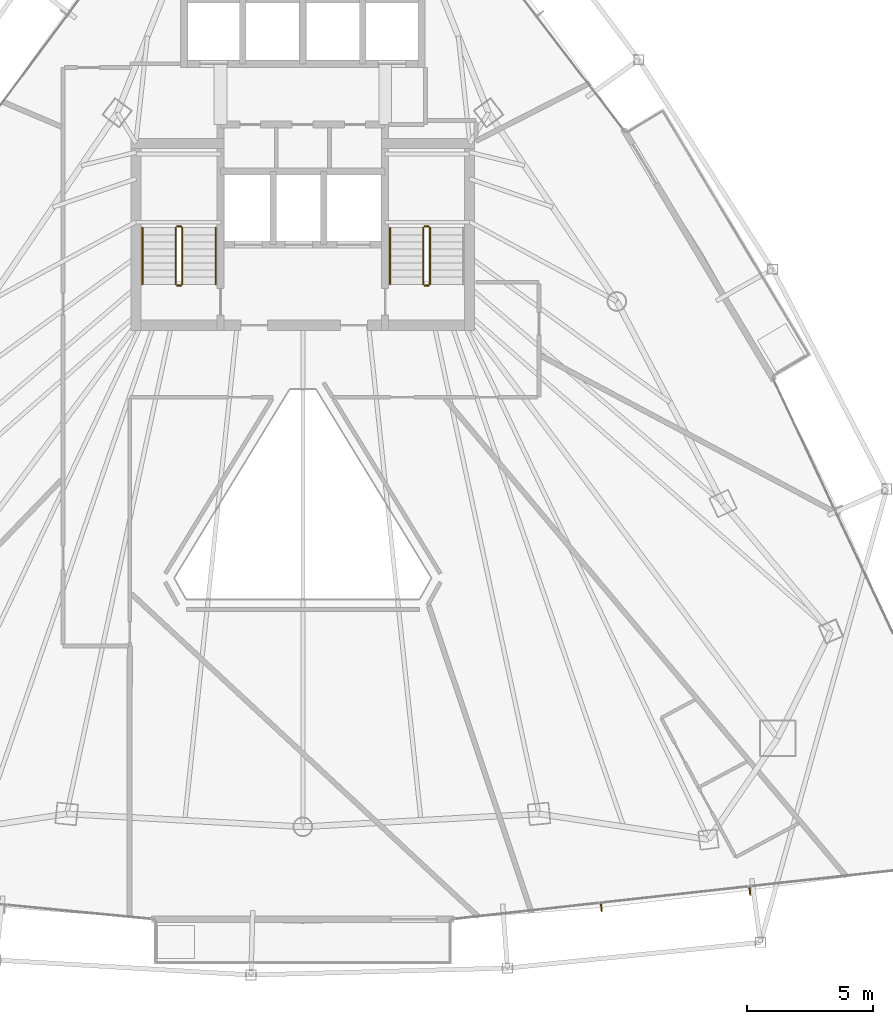
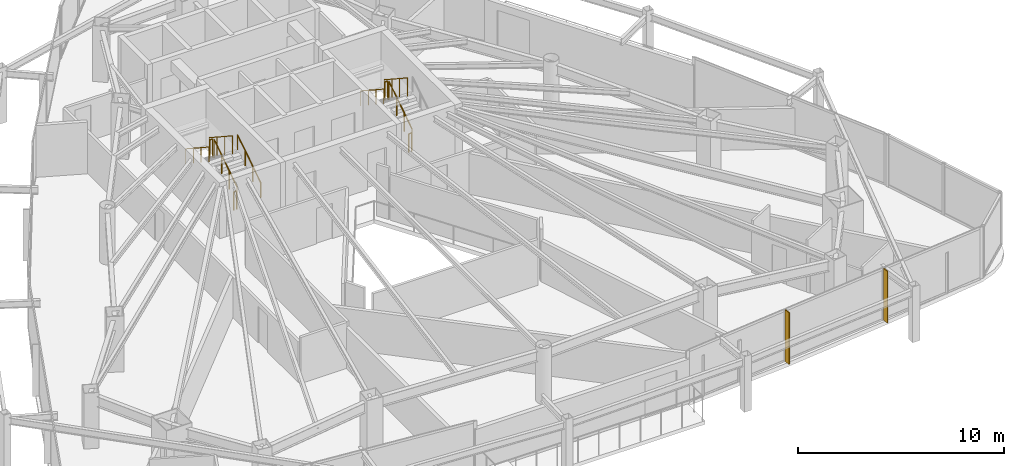
# One storey, part 30 of 31: 11 railings, 2 shading devices.
"""IFC4 building model written with IfcOpenShell, lengths in metres."""

import ifcopenshell
import ifcopenshell.guid

model = None  # the IFC model being written
_history = None  # IfcOwnerHistory: only IFC2X3 demands one
_inside = {}  # id of a spatial element -> (the spatial element, [elements in it])
_under = {}  # id of a project, library or spatial element -> (it, [spatial elements below it])
_declared = {}  # id of a project -> (the project, [libraries it declares])
_typed = {}  # id of a type object -> (the type object, [elements of that type])
_made_of = {}  # id of a material, layer set ... -> (it, [elements and type objects made of it])


def new_model(schema):
    """Start an empty IFC model of exactly this schema.

    Asked for "IFC4X3", IfcOpenShell would pick the latest addendum, in which some entities
    have other attributes; the version numbers below select the first issue.
    IFC2X3 requires an IfcOwnerHistory on every rooted entity: one is made here for all.
    """
    global model, _history
    if schema == "IFC4X3":
        model = ifcopenshell.file(schema_version=(4, 3, 0, 0))
    else:
        model = ifcopenshell.file(schema=schema)
    _inside.clear()
    _under.clear()
    _declared.clear()
    _typed.clear()
    _made_of.clear()
    _history = None
    if model.schema == "IFC2X3":
        org = make("IfcOrganization", Name="unknown")
        user = make(
            "IfcPersonAndOrganization",
            ThePerson=make("IfcPerson", FamilyName="unknown"),
            TheOrganization=org,
        )
        app = make(
            "IfcApplication",
            ApplicationDeveloper=org,
            Version="unknown",
            ApplicationFullName="unknown",
            ApplicationIdentifier="unknown",
        )
        _history = make(
            "IfcOwnerHistory",
            OwningUser=user,
            OwningApplication=app,
            ChangeAction="ADDED",
            CreationDate=0,
        )
    return model


def make(cls, **values):
    """One entity of the class cls with the attributes given. An attribute that is None is left unset."""
    return model.create_entity(
        cls, **{name: value for name, value in values.items() if value is not None}
    )


def rooted(cls, **values):
    """An entity with a GlobalId (a new one), such as an element, a storey or a relation."""
    return make(cls, GlobalId=ifcopenshell.guid.new(), OwnerHistory=_history, **values)


def si_unit(unit_type, name, prefix=None):
    """IfcSIUnit, for example si_unit("LENGTHUNIT", "METRE", prefix="MILLI")."""
    return make("IfcSIUnit", UnitType=unit_type, Prefix=prefix, Name=name)


def assignment(units):
    """IfcUnitAssignment: the units of a project."""
    return None if units is None else make("IfcUnitAssignment", Units=units)


def point(xyz):
    """IfcCartesianPoint."""
    return None if xyz is None else make("IfcCartesianPoint", Coordinates=xyz)


def direction(xyz):
    """IfcDirection."""
    return None if xyz is None else make("IfcDirection", DirectionRatios=xyz)


def frame(location, z_axis=None, x_axis=None):
    """IfcAxis2Placement3D, a coordinate frame: its origin and axes. An axis left out is left unset."""
    return make(
        "IfcAxis2Placement3D",
        Location=point(location),
        Axis=direction(z_axis),
        RefDirection=direction(x_axis),
    )


def frame_2d(location, x_axis=None):
    """IfcAxis2Placement2D, a coordinate frame in the plane: its origin and x axis."""
    return make(
        "IfcAxis2Placement2D", Location=point(location), RefDirection=direction(x_axis)
    )


def origin():
    """The frame at (0, 0, 0) with its axes left unset."""
    return frame((0.0, 0.0, 0.0))


def origin_2d():
    """The frame at (0, 0) in the plane with its x axis left unset."""
    return frame_2d((0.0, 0.0))


def place(relative_to, where):
    """IfcLocalPlacement: puts the frame where relative to a parent placement (None: the world)."""
    return make(
        "IfcLocalPlacement", PlacementRelTo=relative_to, RelativePlacement=where
    )


def context(
    kind, dimensions, precision=None, world=None, true_north=None, identifier=None
):
    """IfcGeometricRepresentationContext, for example the 3D "Model" context."""
    return make(
        "IfcGeometricRepresentationContext",
        ContextIdentifier=identifier,
        ContextType=kind,
        CoordinateSpaceDimension=dimensions,
        Precision=precision,
        WorldCoordinateSystem=world,
        TrueNorth=true_north,
    )


def subcontext(parent, identifier, kind, view, scale=None):
    """IfcGeometricRepresentationSubContext, for example "Body" below "Model"."""
    return make(
        "IfcGeometricRepresentationSubContext",
        ContextIdentifier=identifier,
        ContextType=kind,
        ParentContext=parent,
        TargetScale=scale,
        TargetView=view,
    )


def project(units=None, contexts=None):
    """IfcProject with its units and contexts."""
    return rooted(
        "IfcProject",
        Name="project",
        RepresentationContexts=contexts,
        UnitsInContext=assignment(units),
    )


def spatial(cls, under=None, at=None, **own):
    """A site, building, storey or space (cls), placed at a placement, below another one or the project."""
    s = rooted(cls, ObjectPlacement=at, **own)
    if under is not None:
        _under.setdefault(under.id(), (under, []))[1].append(s)
    return s


def profile(cls, at=None, kind="AREA", **sizes):
    """A parametric profile (cls). Its sizes go by their IFC names, for example OverallWidth=200.0."""
    return make(cls, ProfileType=kind, Position=at, **sizes)


def rectangle(**sizes):
    """IfcRectangleProfileDef."""
    return profile("IfcRectangleProfileDef", **sizes)


def circle(**sizes):
    """IfcCircleProfileDef."""
    return profile("IfcCircleProfileDef", **sizes)


def extrude(swept, where, along, depth):
    """IfcExtrudedAreaSolid: the profile swept, set in the frame where, extruded along a direction by depth."""
    return make(
        "IfcExtrudedAreaSolid",
        SweptArea=swept,
        Position=where,
        ExtrudedDirection=direction(along),
        Depth=depth,
    )


def shape(context_of_items, identifier, shape_type, items):
    """IfcShapeRepresentation: the items that make up one representation, for example the "Body"."""
    return make(
        "IfcShapeRepresentation",
        ContextOfItems=context_of_items,
        RepresentationIdentifier=identifier,
        RepresentationType=shape_type,
        Items=items,
    )


def material(Name=None, Category=None):
    """IfcMaterial."""
    return make("IfcMaterial", Name=Name, Category=Category)


def layer(
    of_material, thickness, ventilated=None, Name=None, Category=None, Priority=None
):
    """IfcMaterialLayer: one layer of a wall or slab, of a material (None: an air gap)."""
    return make(
        "IfcMaterialLayer",
        Material=of_material,
        LayerThickness=thickness,
        IsVentilated=ventilated,
        Name=Name,
        Category=Category,
        Priority=Priority,
    )


def layer_set(layers, Name=None):
    """IfcMaterialLayerSet."""
    return make("IfcMaterialLayerSet", MaterialLayers=layers, LayerSetName=Name)


def made_of(thing, what):
    """Note that an element or type object is made of a material, layer set ...; save() writes the relation."""
    if what is not None:
        _made_of.setdefault(what.id(), (what, []))[1].append(thing)
    return thing


def type_object(cls, material=None, **own):
    """A type object (cls), such as IfcWallType, which elements share."""
    return made_of(rooted(cls, **own), material)


def element(
    cls,
    number,
    at=None,
    inside=None,
    cuts=None,
    type_object=None,
    material=None,
    context=None,
    identifier="Body",
    shape_type=None,
    held_by="IfcProductDefinitionShape",
    body=None,
    shapes=None,
    **own,
):
    """One element of the class cls, such as IfcWall. Its Tag is "e" and its number.

    at: its placement. inside: the storey or other place that contains it. cuts: it is an
    opening in that element (IfcRelVoidsElement). A single representation is given by context,
    identifier, shape_type and body (its items); several are given by shapes. held_by: the class
    of the entity that holds the representations. save() writes the other relations.
    """
    e = rooted(cls, Tag="e%d" % number, ObjectPlacement=at, **own)
    if body is not None:
        shapes = [shape(context, identifier, shape_type, body)]
    if shapes is not None:
        e.Representation = make(held_by, Representations=shapes)
    if inside is not None:
        _inside.setdefault(inside.id(), (inside, []))[1].append(e)
    if cuts is not None:
        rooted(
            "IfcRelVoidsElement", RelatingBuildingElement=cuts, RelatedOpeningElement=e
        )
    if type_object is not None:
        _typed.setdefault(type_object.id(), (type_object, []))[1].append(e)
    return made_of(e, material)


def aggregate(whole, parts):
    """IfcRelAggregates: a whole, such as a stair, and the parts it consists of."""
    return rooted("IfcRelAggregates", RelatingObject=whole, RelatedObjects=parts)


def save(model, path):
    """Write the relations noted so far, then the file.

    IfcRelAggregates (storeys below a building ...), IfcRelContainedInSpatialStructure (elements
    in a storey), IfcRelDefinesByType, IfcRelAssociatesMaterial and IfcRelDeclares: one each for
    every whole, place, type object, material and project.
    """
    for whole, parts in _under.values():
        aggregate(whole, parts)
    for where, things in _inside.values():
        rooted(
            "IfcRelContainedInSpatialStructure",
            RelatedElements=things,
            RelatingStructure=where,
        )
    for kind, things in _typed.values():
        rooted("IfcRelDefinesByType", RelatedObjects=things, RelatingType=kind)
    for what, things in _made_of.values():
        rooted("IfcRelAssociatesMaterial", RelatedObjects=things, RelatingMaterial=what)
    for by, libraries in _declared.values():
        rooted("IfcRelDeclares", RelatingContext=by, RelatedDefinitions=libraries)
    model.write(path)


model = new_model("IFC4")

# Units and contexts
model_context = context("Model", 3, precision=1e-05, world=origin(), true_north=direction((0.0, 1.0)))
body_context = subcontext(model_context, "Body", "Model", "MODEL_VIEW")
ifc_project = project(units=[si_unit("LENGTHUNIT", "METRE"), si_unit("AREAUNIT", "SQUARE_METRE"), si_unit("VOLUMEUNIT", "CUBIC_METRE"), si_unit("PLANEANGLEUNIT", "RADIAN"), si_unit("MASSUNIT", "GRAM", prefix="KILO")], contexts=[model_context])

# Site, building, storey
site_placement = place(None, origin())
site = spatial("IfcSite", under=ifc_project, at=site_placement, CompositionType="ELEMENT")
building_placement = place(site_placement, origin())
building = spatial("IfcBuilding", under=site, at=building_placement, Name="Orvanel Arch Residences", CompositionType="ELEMENT")
storey_placement = place(building_placement, frame((0.0, 0.0, 126.5)))
storey = spatial("IfcBuildingStorey", under=building, at=storey_placement, Name="L35", CompositionType="ELEMENT", Elevation=126.5)

# Shading devices
ifc_material_1 = material(Name="Bronze-anodised aluminium AA6063-T6", Category="aluminium")
ifc_layer = layer(ifc_material_1, 0.054931640625)
ifc_layer_set = layer_set([ifc_layer], Name="Bronze-anodised aluminium AA6063-T6")
shading_device_type = type_object("IfcShadingDeviceType", Name="FIN-BRZ-320", PredefinedType="USERDEFINED", material=ifc_layer_set)
for number, where, z_axis, x_axis, name in (
    (1, (44.81689453125, 3.64990234375, 0.0), (0.0, 0.0, 1.0), (0.109734311091, -0.993960955455, 0.0), "L35 Anodised Bronze Mullion FIN 01"),
    (2, (50.697998046875, 4.298095703125, 0.0), (0.0, 0.0, 1.0), (0.109734311091, -0.993960955455, 0.0), "L35 Anodised Bronze Mullion FIN 02"),
):
    element("IfcShadingDevice", number, at=place(storey_placement, frame(where, z_axis=z_axis, x_axis=x_axis)), inside=storey, type_object=shading_device_type, Name=name, ObjectType="FIN", PredefinedType="USERDEFINED", context=body_context, shape_type="SweptSolid", body=[
        extrude(rectangle(XDim=0.320068359375, YDim=0.054931640625, at=origin_2d()), origin(), (0.0, 0.0, 1.0), 3.06005859375),
    ])

# Railings
ifc_material_2 = material(Name="Structural steel AS/NZS 1163 C350L0 (Grade 350)", Category="steel")
railing_type_1 = type_object("IfcRailingType", Name="RL-STAIR-GUARD", PredefinedType="GUARDRAIL", material=ifc_material_2)
railing_1_placement = place(storey_placement, frame((28.22998046875, 28.320068359375, 0.183349609375)))
element("IfcRailing", 3, at=railing_1_placement, inside=storey, type_object=railing_type_1, Name="L35 ST-1 stair guard 1", PredefinedType="GUARDRAIL", context=body_context, shape_type="SweptSolid", body=[
    extrude(circle(Radius=0.02392578125, at=origin_2d()), frame((0.0, 0.001220703125, 1.076904296875), z_axis=(0.0, 0.836636935527, 0.547757827979), x_axis=(-1.0, 0.0, 0.0)), (0.0, 0.0, 1.0), 2.67431640625),
    extrude(circle(Radius=0.02099609375, at=origin_2d()), origin(), (0.0, 0.0, 1.0), 1.050048828125),
    extrude(circle(Radius=0.02099609375, at=origin_2d()), frame((0.0, 0.74658203125, 0.48876953125)), (0.0, 0.0, 1.0), 1.050048828125),
    extrude(circle(Radius=0.02099609375, at=origin_2d()), frame((0.0, 1.493408203125, 0.977783203125)), (0.0, 0.0, 1.0), 1.050048828125),
    extrude(circle(Radius=0.02099609375, at=origin_2d()), frame((0.0, 2.239990234375, 1.466552734375)), (0.0, 0.0, 1.0), 1.050048828125),
])
railing_2_placement = place(storey_placement, frame((28.179931640625, 30.610107421875, 1.64990234375)))
element("IfcRailing", 4, at=railing_2_placement, inside=storey, type_object=railing_type_1, Name="L35 ST-1 stair guard 2", PredefinedType="GUARDRAIL", context=body_context, shape_type="SweptSolid", body=[
    extrude(circle(Radius=0.02392578125, at=origin_2d()), frame((-0.00146484375, 0.0, 1.076171875), z_axis=(-1.0, 0.0, 0.0), x_axis=(0.0, -1.0, 0.0)), (0.0, 0.0, 1.0), 0.156982421875),
    extrude(circle(Radius=0.02099609375, at=origin_2d()), origin(), (0.0, 0.0, 1.0), 1.050048828125),
    extrude(circle(Radius=0.02099609375, at=origin_2d()), frame((-0.159912109375, 0.0, 0.0)), (0.0, 0.0, 1.0), 1.050048828125),
])
railing_3_placement = place(storey_placement, frame((27.969970703125, 30.56005859375, 1.833251953125)))
element("IfcRailing", 5, at=railing_3_placement, inside=storey, type_object=railing_type_1, Name="L35 ST-1 stair guard 3", PredefinedType="GUARDRAIL", context=body_context, shape_type="SweptSolid", body=[
    extrude(circle(Radius=0.02392578125, at=origin_2d()), frame((0.0, -0.001220703125, 1.076904296875), z_axis=(0.0, -0.836595146698, 0.547821650285), x_axis=(1.0, 0.0, 0.0)), (0.0, 0.0, 1.0), 2.674560546875),
    extrude(circle(Radius=0.02099609375, at=origin_2d()), origin(), (0.0, 0.0, 1.0), 1.050048828125),
    extrude(circle(Radius=0.02099609375, at=origin_2d()), frame((0.0, -0.74658203125, 0.489013671875)), (0.0, 0.0, 1.0), 1.050048828125),
    extrude(circle(Radius=0.02099609375, at=origin_2d()), frame((0.0, -1.493408203125, 0.977783203125)), (0.0, 0.0, 1.0), 1.050048828125),
    extrude(circle(Radius=0.02099609375, at=origin_2d()), frame((0.0, -2.239990234375, 1.466796875)), (0.0, 0.0, 1.0), 1.050048828125),
])
railing_4_placement = place(storey_placement, frame((28.179931640625, 28.27001953125, 0.0)))
element("IfcRailing", 6, at=railing_4_placement, inside=storey, type_object=railing_type_1, Name="L35 ST-1 stair guard 4", PredefinedType="GUARDRAIL", context=body_context, shape_type="SweptSolid", body=[
    extrude(circle(Radius=0.02392578125, at=origin_2d()), frame((-0.00146484375, 0.0, 1.076171875), z_axis=(-1.0, 0.0, 0.0), x_axis=(0.0, -1.0, 0.0)), (0.0, 0.0, 1.0), 0.156982421875),
    extrude(circle(Radius=0.02099609375, at=origin_2d()), origin(), (0.0, 0.0, 1.0), 1.050048828125),
    extrude(circle(Radius=0.02099609375, at=origin_2d()), frame((-0.159912109375, 0.0, 0.0)), (0.0, 0.0, 1.0), 1.050048828125),
])
railing_5_placement = place(storey_placement, frame((38.030029296875, 28.320068359375, 0.183349609375)))
element("IfcRailing", 7, at=railing_5_placement, inside=storey, type_object=railing_type_1, Name="L35 ST-2 stair guard 1", PredefinedType="GUARDRAIL", context=body_context, shape_type="SweptSolid", body=[
    extrude(circle(Radius=0.02392578125, at=origin_2d()), frame((0.0, 0.001220703125, 1.076904296875), z_axis=(0.0, 0.836636935527, 0.547757827979), x_axis=(-1.0, 0.0, 0.0)), (0.0, 0.0, 1.0), 2.67431640625),
    extrude(circle(Radius=0.02099609375, at=origin_2d()), origin(), (0.0, 0.0, 1.0), 1.050048828125),
    extrude(circle(Radius=0.02099609375, at=origin_2d()), frame((0.0, 0.74658203125, 0.48876953125)), (0.0, 0.0, 1.0), 1.050048828125),
    extrude(circle(Radius=0.02099609375, at=origin_2d()), frame((0.0, 1.493408203125, 0.977783203125)), (0.0, 0.0, 1.0), 1.050048828125),
    extrude(circle(Radius=0.02099609375, at=origin_2d()), frame((0.0, 2.239990234375, 1.466552734375)), (0.0, 0.0, 1.0), 1.050048828125),
])
railing_6_placement = place(storey_placement, frame((37.97998046875, 30.610107421875, 1.64990234375)))
element("IfcRailing", 8, at=railing_6_placement, inside=storey, type_object=railing_type_1, Name="L35 ST-2 stair guard 2", PredefinedType="GUARDRAIL", context=body_context, shape_type="SweptSolid", body=[
    extrude(circle(Radius=0.02392578125, at=origin_2d()), frame((-0.00146484375, 0.0, 1.076171875), z_axis=(-1.0, 0.0, 0.0), x_axis=(0.0, -1.0, 0.0)), (0.0, 0.0, 1.0), 0.156982421875),
    extrude(circle(Radius=0.02099609375, at=origin_2d()), origin(), (0.0, 0.0, 1.0), 1.050048828125),
    extrude(circle(Radius=0.02099609375, at=origin_2d()), frame((-0.159912109375, 0.0, 0.0)), (0.0, 0.0, 1.0), 1.050048828125),
])
railing_7_placement = place(storey_placement, frame((37.77001953125, 30.56005859375, 1.833251953125)))
element("IfcRailing", 9, at=railing_7_placement, inside=storey, type_object=railing_type_1, Name="L35 ST-2 stair guard 3", PredefinedType="GUARDRAIL", context=body_context, shape_type="SweptSolid", body=[
    extrude(circle(Radius=0.02392578125, at=origin_2d()), frame((0.0, -0.001220703125, 1.076904296875), z_axis=(0.0, -0.836595146698, 0.547821650285), x_axis=(1.0, 0.0, 0.0)), (0.0, 0.0, 1.0), 2.674560546875),
    extrude(circle(Radius=0.02099609375, at=origin_2d()), origin(), (0.0, 0.0, 1.0), 1.050048828125),
    extrude(circle(Radius=0.02099609375, at=origin_2d()), frame((0.0, -0.74658203125, 0.489013671875)), (0.0, 0.0, 1.0), 1.050048828125),
    extrude(circle(Radius=0.02099609375, at=origin_2d()), frame((0.0, -1.493408203125, 0.977783203125)), (0.0, 0.0, 1.0), 1.050048828125),
    extrude(circle(Radius=0.02099609375, at=origin_2d()), frame((0.0, -2.239990234375, 1.466796875)), (0.0, 0.0, 1.0), 1.050048828125),
])
railing_8_placement = place(storey_placement, frame((37.97998046875, 28.27001953125, 0.0)))
element("IfcRailing", 10, at=railing_8_placement, inside=storey, type_object=railing_type_1, Name="L35 ST-2 stair guard 4", PredefinedType="GUARDRAIL", context=body_context, shape_type="SweptSolid", body=[
    extrude(circle(Radius=0.02392578125, at=origin_2d()), frame((-0.00146484375, 0.0, 1.076171875), z_axis=(-1.0, 0.0, 0.0), x_axis=(0.0, -1.0, 0.0)), (0.0, 0.0, 1.0), 0.156982421875),
    extrude(circle(Radius=0.02099609375, at=origin_2d()), origin(), (0.0, 0.0, 1.0), 1.050048828125),
    extrude(circle(Radius=0.02099609375, at=origin_2d()), frame((-0.159912109375, 0.0, 0.0)), (0.0, 0.0, 1.0), 1.050048828125),
])
railing_type_2 = type_object("IfcRailingType", Name="RL-STAIR-HAND", PredefinedType="HANDRAIL", material=ifc_material_2)
railing_9_placement = place(storey_placement, frame((29.550048828125, 28.320068359375, 0.183349609375)))
element("IfcRailing", 11, at=railing_9_placement, inside=storey, type_object=railing_type_2, Name="L35 ST-1 stair handrail 1", PredefinedType="HANDRAIL", context=body_context, shape_type="SweptSolid", body=[
    extrude(circle(Radius=0.02392578125, at=origin_2d()), frame((0.0, 0.001220703125, 0.876708984375), z_axis=(0.0, 0.836636935527, 0.547757827979), x_axis=(-1.0, 0.0, 0.0)), (0.0, 0.0, 1.0), 2.67431640625),
    extrude(circle(Radius=0.02099609375, at=origin_2d()), origin(), (0.0, 0.0, 1.0), 0.849853515625),
    extrude(circle(Radius=0.02099609375, at=origin_2d()), frame((0.0, 0.74658203125, 0.48876953125)), (0.0, 0.0, 1.0), 0.849853515625),
    extrude(circle(Radius=0.02099609375, at=origin_2d()), frame((0.0, 1.493408203125, 0.977783203125)), (0.0, 0.0, 1.0), 0.849853515625),
    extrude(circle(Radius=0.02099609375, at=origin_2d()), frame((0.0, 2.239990234375, 1.466552734375)), (0.0, 0.0, 1.0), 0.849853515625),
])
for number, where, name in (
    (12, (26.64990234375, 30.56005859375, 1.833251953125), "L35 ST-1 stair handrail 2"),
    (13, (36.449951171875, 30.56005859375, 1.833251953125), "L35 ST-2 stair handrail 2"),
):
    element("IfcRailing", number, at=place(storey_placement, frame(where)), inside=storey, type_object=railing_type_2, Name=name, PredefinedType="HANDRAIL", context=body_context, shape_type="SweptSolid", body=[
        extrude(circle(Radius=0.02392578125, at=origin_2d()), frame((0.0, -0.001220703125, 0.876708984375), z_axis=(0.0, -0.836595146698, 0.547821650285), x_axis=(1.0, 0.0, 0.0)), (0.0, 0.0, 1.0), 2.674560546875),
        extrude(circle(Radius=0.02099609375, at=origin_2d()), origin(), (0.0, 0.0, 1.0), 0.849853515625),
        extrude(circle(Radius=0.02099609375, at=origin_2d()), frame((0.0, -0.74658203125, 0.489013671875)), (0.0, 0.0, 1.0), 0.849853515625),
        extrude(circle(Radius=0.02099609375, at=origin_2d()), frame((0.0, -1.493408203125, 0.977783203125)), (0.0, 0.0, 1.0), 0.849853515625),
        extrude(circle(Radius=0.02099609375, at=origin_2d()), frame((0.0, -2.239990234375, 1.466796875)), (0.0, 0.0, 1.0), 0.849853515625),
    ])

save(model, "model.ifc")
